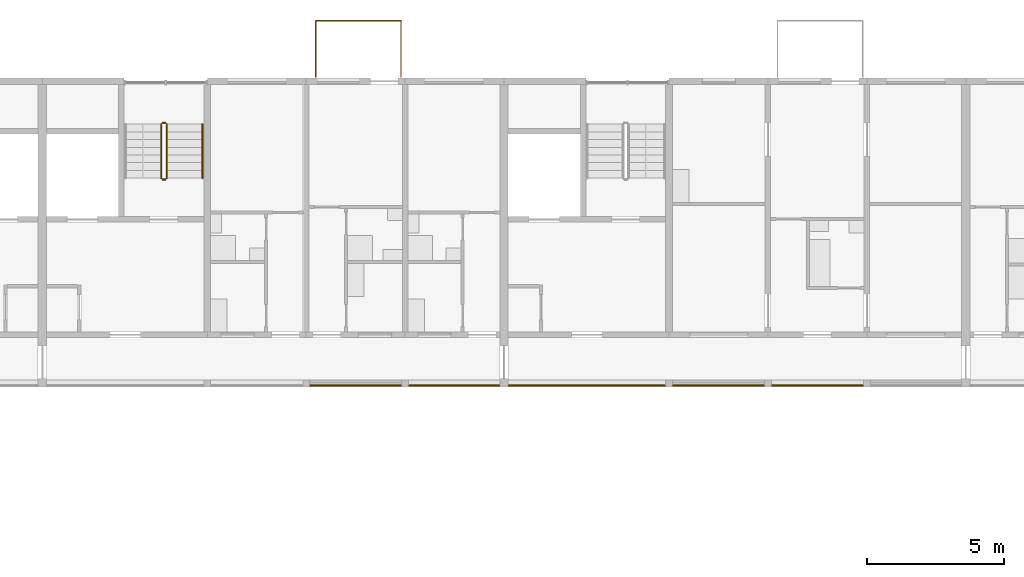
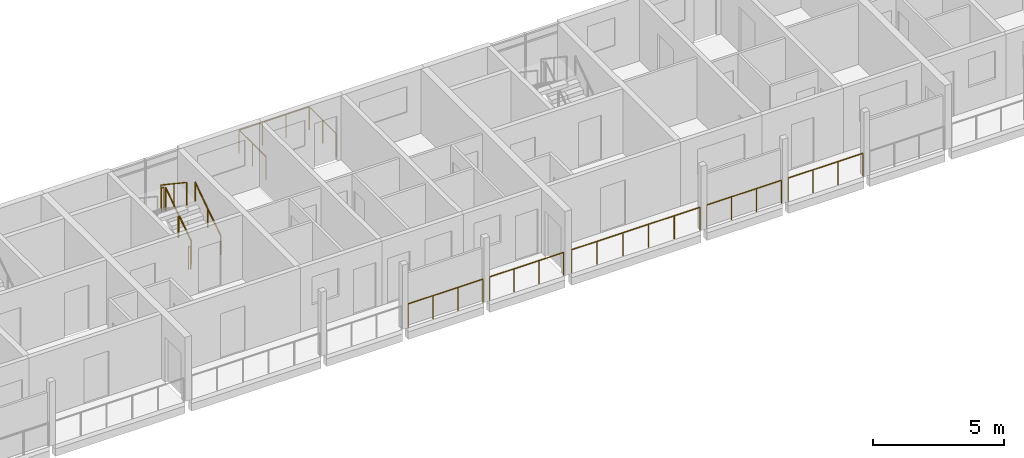
# One storey, part 99 of 115: 11 railings.
"""IFC4 building model written with IfcOpenShell, lengths in metres."""

from ifc_helpers import new_model, si_unit, direction, frame, origin, origin_2d, place, context, subcontext, project, spatial, circle, extrude, material, type_object, element, save


model = new_model("IFC4")

# Units and contexts
model_context = context("Model", 3, precision=1e-05, world=origin(), true_north=direction((0.0, 1.0)))
body_context = subcontext(model_context, "Body", "Model", "MODEL_VIEW")
ifc_project = project(units=[si_unit("LENGTHUNIT", "METRE"), si_unit("AREAUNIT", "SQUARE_METRE"), si_unit("VOLUMEUNIT", "CUBIC_METRE"), si_unit("PLANEANGLEUNIT", "RADIAN"), si_unit("MASSUNIT", "GRAM", prefix="KILO")], contexts=[model_context])

# Site, building, storey
site_placement = place(None, origin())
site = spatial("IfcSite", under=ifc_project, at=site_placement, CompositionType="ELEMENT")
building_placement = place(site_placement, origin())
building = spatial("IfcBuilding", under=site, at=building_placement, Name="Ridgestep Commons", CompositionType="ELEMENT")
storey_placement = place(building_placement, frame((0.0, 0.0, 6.0)))
storey = spatial("IfcBuildingStorey", under=building, at=storey_placement, Name="L02", CompositionType="ELEMENT", Elevation=6.0)

# Railings
ifc_material_1 = material(Name="Structural steel S355JR", Category="steel")
railing_type_1 = type_object("IfcRailingType", Name="Guard 1100", PredefinedType="GUARDRAIL", material=ifc_material_1)
railing_1_placement = place(storey_placement, frame((38.5458984375, 66.050048828125, 0.0)))
element("IfcRailing", 1, at=railing_1_placement, inside=storey, type_object=railing_type_1, Name="Gallery guard B 02.7", PredefinedType="GUARDRAIL", context=body_context, shape_type="SweptSolid", body=[
    extrude(circle(Radius=0.02392578125, at=origin_2d()), frame((0.0, 0.0, 1.076171875), z_axis=(1.0, 0.0, 0.0), x_axis=(0.0, 1.0, 0.0)), (0.0, 0.0, 1.0), 3.30810546875),
    extrude(circle(Radius=0.02099609375, at=origin_2d()), origin(), (0.0, 0.0, 1.0), 1.052001953125),
    extrude(circle(Radius=0.02099609375, at=origin_2d()), frame((1.102783203125, 0.0, 0.0)), (0.0, 0.0, 1.0), 1.052001953125),
    extrude(circle(Radius=0.02099609375, at=origin_2d()), frame((2.205322265625, 0.0, 0.0)), (0.0, 0.0, 1.0), 1.052001953125),
    extrude(circle(Radius=0.02099609375, at=origin_2d()), frame((3.30810546875, 0.0, 0.0)), (0.0, 0.0, 1.0), 1.052001953125),
])
railing_2_placement = place(storey_placement, frame((42.14599609375, 66.050048828125, 0.0)))
element("IfcRailing", 2, at=railing_2_placement, inside=storey, type_object=railing_type_1, Name="Gallery guard B 02.8", PredefinedType="GUARDRAIL", context=body_context, shape_type="SweptSolid", body=[
    extrude(circle(Radius=0.02392578125, at=origin_2d()), frame((0.0, 0.0, 1.076171875), z_axis=(1.0, 0.0, 0.0), x_axis=(0.0, 1.0, 0.0)), (0.0, 0.0, 1.0), 3.282958984375),
    extrude(circle(Radius=0.02099609375, at=origin_2d()), origin(), (0.0, 0.0, 1.0), 1.052001953125),
    extrude(circle(Radius=0.02099609375, at=origin_2d()), frame((1.09423828125, 0.0, 0.0)), (0.0, 0.0, 1.0), 1.052001953125),
    extrude(circle(Radius=0.02099609375, at=origin_2d()), frame((2.188720703125, 0.0, 0.0)), (0.0, 0.0, 1.0), 1.052001953125),
    extrude(circle(Radius=0.02099609375, at=origin_2d()), frame((3.282958984375, 0.0, 0.0)), (0.0, 0.0, 1.0), 1.052001953125),
])
railing_3_placement = place(storey_placement, frame((45.77099609375, 66.050048828125, 0.0)))
element("IfcRailing", 3, at=railing_3_placement, inside=storey, type_object=railing_type_1, Name="Gallery guard B 02.9", PredefinedType="GUARDRAIL", context=body_context, shape_type="SweptSolid", body=[
    extrude(circle(Radius=0.02392578125, at=origin_2d()), frame((0.0, 0.0, 1.076171875), z_axis=(1.0, 0.0, 0.0), x_axis=(0.0, 1.0, 0.0)), (0.0, 0.0, 1.0), 5.68310546875),
    extrude(circle(Radius=0.02099609375, at=origin_2d()), origin(), (0.0, 0.0, 1.0), 1.052001953125),
    extrude(circle(Radius=0.02099609375, at=origin_2d()), frame((1.13671875, 0.0, 0.0)), (0.0, 0.0, 1.0), 1.052001953125),
    extrude(circle(Radius=0.02099609375, at=origin_2d()), frame((2.273193359375, 0.0, 0.0)), (0.0, 0.0, 1.0), 1.052001953125),
    extrude(circle(Radius=0.02099609375, at=origin_2d()), frame((3.409912109375, 0.0, 0.0)), (0.0, 0.0, 1.0), 1.052001953125),
    extrude(circle(Radius=0.02099609375, at=origin_2d()), frame((4.54638671875, 0.0, 0.0)), (0.0, 0.0, 1.0), 1.052001953125),
    extrude(circle(Radius=0.02099609375, at=origin_2d()), frame((5.68310546875, 0.0, 0.0)), (0.0, 0.0, 1.0), 1.052001953125),
])
railing_4_placement = place(storey_placement, frame((51.74609375, 66.050048828125, 0.0)))
element("IfcRailing", 4, at=railing_4_placement, inside=storey, type_object=railing_type_1, Name="Gallery guard B 02.10", PredefinedType="GUARDRAIL", context=body_context, shape_type="SweptSolid", body=[
    extrude(circle(Radius=0.02392578125, at=origin_2d()), frame((0.0, 0.0, 1.076171875), z_axis=(1.0, 0.0, 0.0), x_axis=(0.0, 1.0, 0.0)), (0.0, 0.0, 1.0), 3.307861328125),
    extrude(circle(Radius=0.02099609375, at=origin_2d()), origin(), (0.0, 0.0, 1.0), 1.052001953125),
    extrude(circle(Radius=0.02099609375, at=origin_2d()), frame((1.1025390625, 0.0, 0.0)), (0.0, 0.0, 1.0), 1.052001953125),
    extrude(circle(Radius=0.02099609375, at=origin_2d()), frame((2.205322265625, 0.0, 0.0)), (0.0, 0.0, 1.0), 1.052001953125),
    extrude(circle(Radius=0.02099609375, at=origin_2d()), frame((3.307861328125, 0.0, 0.0)), (0.0, 0.0, 1.0), 1.052001953125),
])
railing_5_placement = place(storey_placement, frame((55.345947265625, 66.050048828125, 0.0)))
element("IfcRailing", 5, at=railing_5_placement, inside=storey, type_object=railing_type_1, Name="Gallery guard B 02.11", PredefinedType="GUARDRAIL", context=body_context, shape_type="SweptSolid", body=[
    extrude(circle(Radius=0.02392578125, at=origin_2d()), frame((0.0, 0.0, 1.076171875), z_axis=(1.0, 0.0, 0.0), x_axis=(0.0, 1.0, 0.0)), (0.0, 0.0, 1.0), 3.30810546875),
    extrude(circle(Radius=0.02099609375, at=origin_2d()), origin(), (0.0, 0.0, 1.0), 1.052001953125),
    extrude(circle(Radius=0.02099609375, at=origin_2d()), frame((1.102783203125, 0.0, 0.0)), (0.0, 0.0, 1.0), 1.052001953125),
    extrude(circle(Radius=0.02099609375, at=origin_2d()), frame((2.205322265625, 0.0, 0.0)), (0.0, 0.0, 1.0), 1.052001953125),
    extrude(circle(Radius=0.02099609375, at=origin_2d()), frame((3.30810546875, 0.0, 0.0)), (0.0, 0.0, 1.0), 1.052001953125),
])
ifc_material_2 = material(Name="Structural steel S355JR", Category="steel")
railing_type_2 = type_object("IfcRailingType", Name="Stair guard 1100", PredefinedType="GUARDRAIL", material=ifc_material_2)
railing_6_placement = place(storey_placement, frame((33.324951171875, 73.60009765625, 0.1875)))
element("IfcRailing", 6, at=railing_6_placement, inside=storey, type_object=railing_type_2, Name="L02 B2C stair guard 1", PredefinedType="GUARDRAIL", context=body_context, shape_type="SweptSolid", body=[
    extrude(circle(Radius=0.02392578125, at=origin_2d()), frame((0.0, 0.0, 1.076171875), z_axis=(0.0, 0.830902050051, 0.556418712142), x_axis=(-1.0, 0.0, 0.0)), (0.0, 0.0, 1.0), 2.35888671875),
    extrude(circle(Radius=0.02099609375, at=origin_2d()), origin(), (0.0, 0.0, 1.0), 1.052001953125),
    extrude(circle(Radius=0.02099609375, at=origin_2d()), frame((0.0, 0.97998046875, 0.65625)), (0.0, 0.0, 1.0), 1.052001953125),
    extrude(circle(Radius=0.02099609375, at=origin_2d()), frame((0.0, 1.9599609375, 1.3125)), (0.0, 0.0, 1.0), 1.052001953125),
])
railing_7_placement = place(storey_placement, frame((33.27490234375, 75.610107421875, 1.5)))
element("IfcRailing", 7, at=railing_7_placement, inside=storey, type_object=railing_type_2, Name="L02 B2C stair guard 2", PredefinedType="GUARDRAIL", context=body_context, shape_type="SweptSolid", body=[
    extrude(circle(Radius=0.02392578125, at=origin_2d()), frame((0.0, 0.0, 1.076171875), z_axis=(-1.0, 0.0, 0.0), x_axis=(0.0, -1.0, 0.0)), (0.0, 0.0, 1.0), 0.099853515625),
    extrude(circle(Radius=0.02099609375, at=origin_2d()), origin(), (0.0, 0.0, 1.0), 1.052001953125),
    extrude(circle(Radius=0.02099609375, at=origin_2d()), frame((-0.099853515625, 0.0, 0.0)), (0.0, 0.0, 1.0), 1.052001953125),
])
railing_8_placement = place(storey_placement, frame((33.125, 75.56005859375, 1.6875)))
element("IfcRailing", 8, at=railing_8_placement, inside=storey, type_object=railing_type_2, Name="L02 B2C stair guard 3", PredefinedType="GUARDRAIL", context=body_context, shape_type="SweptSolid", body=[
    extrude(circle(Radius=0.02392578125, at=origin_2d()), frame((0.0, 0.0, 1.076171875), z_axis=(0.0, -0.830902050051, 0.556418712142), x_axis=(1.0, 0.0, 0.0)), (0.0, 0.0, 1.0), 2.35888671875),
    extrude(circle(Radius=0.02099609375, at=origin_2d()), origin(), (0.0, 0.0, 1.0), 1.052001953125),
    extrude(circle(Radius=0.02099609375, at=origin_2d()), frame((0.0, -0.97998046875, 0.65625)), (0.0, 0.0, 1.0), 1.052001953125),
    extrude(circle(Radius=0.02099609375, at=origin_2d()), frame((0.0, -1.9599609375, 1.3125)), (0.0, 0.0, 1.0), 1.052001953125),
])
railing_9_placement = place(storey_placement, frame((33.27490234375, 73.550048828125, 0.0)))
element("IfcRailing", 9, at=railing_9_placement, inside=storey, type_object=railing_type_2, Name="L02 B2C stair guard 4", PredefinedType="GUARDRAIL", context=body_context, shape_type="SweptSolid", body=[
    extrude(circle(Radius=0.02392578125, at=origin_2d()), frame((0.0, 0.0, 1.076171875), z_axis=(-1.0, 0.0, 0.0), x_axis=(0.0, -1.0, 0.0)), (0.0, 0.0, 1.0), 0.099853515625),
    extrude(circle(Radius=0.02099609375, at=origin_2d()), origin(), (0.0, 0.0, 1.0), 1.052001953125),
    extrude(circle(Radius=0.02099609375, at=origin_2d()), frame((-0.099853515625, 0.0, 0.0)), (0.0, 0.0, 1.0), 1.052001953125),
])
ifc_material_3 = material(Name="Structural steel S355JR", Category="steel")
railing_type_3 = type_object("IfcRailingType", Name="Stair handrail 900", PredefinedType="HANDRAIL", material=ifc_material_3)
railing_10_placement = place(storey_placement, frame((34.625, 73.60009765625, 0.1875)))
element("IfcRailing", 10, at=railing_10_placement, inside=storey, type_object=railing_type_3, Name="L02 B2C stair handrail 1", PredefinedType="HANDRAIL", context=body_context, shape_type="SweptSolid", body=[
    extrude(circle(Radius=0.02392578125, at=origin_2d()), frame((0.0, 0.0, 0.8759765625), z_axis=(0.0, 0.830902050051, 0.556418712142), x_axis=(-1.0, 0.0, 0.0)), (0.0, 0.0, 1.0), 2.35888671875),
    extrude(circle(Radius=0.02099609375, at=origin_2d()), origin(), (0.0, 0.0, 1.0), 0.851806640625),
    extrude(circle(Radius=0.02099609375, at=origin_2d()), frame((0.0, 0.97998046875, 0.65625)), (0.0, 0.0, 1.0), 0.851806640625),
    extrude(circle(Radius=0.02099609375, at=origin_2d()), frame((0.0, 1.9599609375, 1.3125)), (0.0, 0.0, 1.0), 0.851806640625),
])
ifc_material_4 = material(Name="Weathering steel S355J2W", Category="steel")
railing_type_4 = type_object("IfcRailingType", Name="Tray guard 1100", PredefinedType="GUARDRAIL", material=ifc_material_4)
railing_11_placement = place(storey_placement, frame((38.7509765625, 77.27099609375, 0.0)))
element("IfcRailing", 11, at=railing_11_placement, inside=storey, type_object=railing_type_4, Name="Tray guard B2T2-02", PredefinedType="GUARDRAIL", context=body_context, shape_type="SweptSolid", body=[
    extrude(circle(Radius=0.02392578125, at=origin_2d()), frame((0.0, 0.0, 1.076171875), z_axis=(0.0, 1.0, 0.0), x_axis=(-1.0, 0.0, 0.0)), (0.0, 0.0, 1.0), 2.05810546875),
    extrude(circle(Radius=0.02392578125, at=origin_2d()), frame((0.0, 2.05810546875, 1.076171875), z_axis=(1.0, 0.0, 0.0), x_axis=(0.0, 1.0, 0.0)), (0.0, 0.0, 1.0), 3.09814453125),
    extrude(circle(Radius=0.02392578125, at=origin_2d()), frame((3.09814453125, 2.05810546875, 1.076171875), z_axis=(0.0, -1.0, 0.0), x_axis=(1.0, 0.0, 0.0)), (0.0, 0.0, 1.0), 2.05810546875),
    extrude(circle(Radius=0.02099609375, at=origin_2d()), origin(), (0.0, 0.0, 1.0), 1.052001953125),
    extrude(circle(Radius=0.02099609375, at=origin_2d()), frame((0.0, 1.029052734375, 0.0)), (0.0, 0.0, 1.0), 1.052001953125),
    extrude(circle(Radius=0.02099609375, at=origin_2d()), frame((0.0, 2.05810546875, 0.0)), (0.0, 0.0, 1.0), 1.052001953125),
    extrude(circle(Radius=0.02099609375, at=origin_2d()), frame((1.03271484375, 2.05810546875, 0.0)), (0.0, 0.0, 1.0), 1.052001953125),
    extrude(circle(Radius=0.02099609375, at=origin_2d()), frame((2.0654296875, 2.05810546875, 0.0)), (0.0, 0.0, 1.0), 1.052001953125),
    extrude(circle(Radius=0.02099609375, at=origin_2d()), frame((3.09814453125, 2.05810546875, 0.0)), (0.0, 0.0, 1.0), 1.052001953125),
    extrude(circle(Radius=0.02099609375, at=origin_2d()), frame((3.09814453125, 1.029052734375, 0.0)), (0.0, 0.0, 1.0), 1.052001953125),
    extrude(circle(Radius=0.02099609375, at=origin_2d()), frame((3.09814453125, 0.0, 0.0)), (0.0, 0.0, 1.0), 1.052001953125),
])

save(model, "model.ifc")
